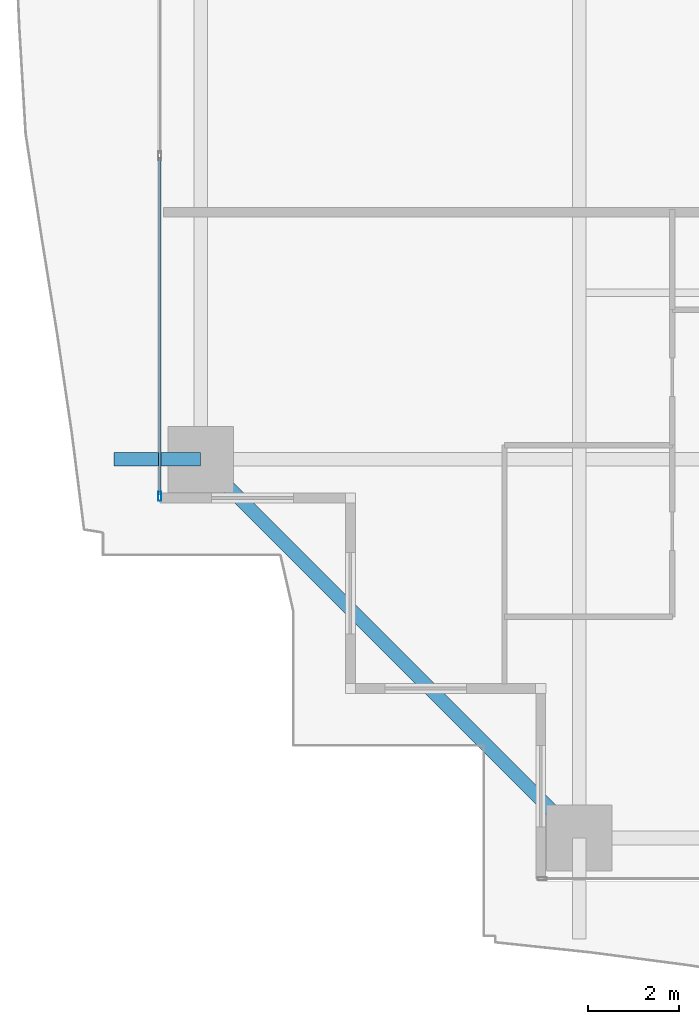
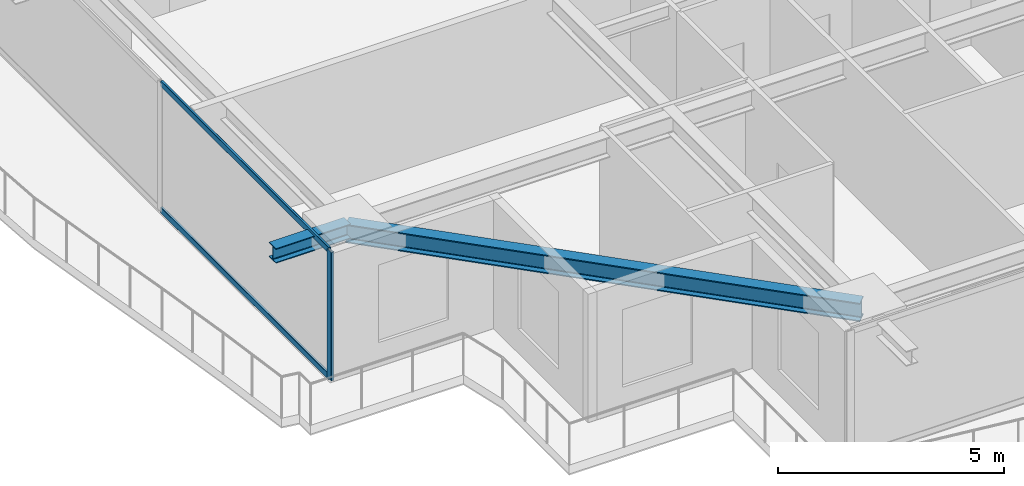
# One storey, part 3 of 41: 3 members, 2 beams, 1 element without a shape of its own.
"""IFC4 building model written with IfcOpenShell, lengths in metres."""

from ifc_helpers import new_model, si_unit, direction, frame, origin, origin_2d, place, context, subcontext, project, spatial, hollow_rectangle, i_section, extrude, source, transform, mapped, material, layer, layer_set, material_profile, profile_set, type_object, element, aggregate, save


model = new_model("IFC4")

# Units and contexts
model_context = context("Model", 3, precision=1e-05, world=origin(), true_north=direction((0.0, 1.0)))
body_context = subcontext(model_context, "Body", "Model", "MODEL_VIEW")
ifc_project = project(units=[si_unit("LENGTHUNIT", "METRE"), si_unit("AREAUNIT", "SQUARE_METRE"), si_unit("VOLUMEUNIT", "CUBIC_METRE"), si_unit("PLANEANGLEUNIT", "RADIAN"), si_unit("MASSUNIT", "GRAM", prefix="KILO")], contexts=[model_context])

# Site, building, storey
site_placement = place(None, origin())
site = spatial("IfcSite", under=ifc_project, at=site_placement, CompositionType="ELEMENT")
building_placement = place(site_placement, origin())
building = spatial("IfcBuilding", under=site, at=building_placement, Name="Serunith Strait Residences", CompositionType="ELEMENT")
storey_placement = place(building_placement, frame((0.0, 0.0, 75.449951171875)))
storey = spatial("IfcBuildingStorey", under=building, at=storey_placement, Name="L18", CompositionType="ELEMENT", Elevation=75.449951171875)

# Beams
ifc_material_1 = material(Name="Steel S355J2", Category="steel")
ifc_material_profile_1 = material_profile(ifc_material_1, i_section(OverallWidth=0.300048828125, OverallDepth=0.5, WebThickness=0.014404296875, FlangeThickness=0.028076171875, FilletRadius=0.027099609375, at=origin_2d()), Name="HEB 500")
ifc_profile_set_1 = profile_set([ifc_material_profile_1], Name="Steel S355J2")
beam_type_1 = type_object("IfcBeamType", Name="BM-HEB500", PredefinedType="BEAM", material=ifc_profile_set_1)
shared_shape_1 = source(origin(), body_context, "Body", "SweptSolid", [
    extrude(i_section(OverallWidth=0.300048828125, OverallDepth=0.5, WebThickness=0.014404296875, FlangeThickness=0.028076171875, FilletRadius=0.027099609375, at=origin_2d()), origin(), (0.0, 0.0, 1.0), 11.80859375),
])
beam_1_placement = place(storey_placement, frame((6.89990234375, 9.449951171875, 3.20703125), z_axis=(0.707117118476, -0.707096443746, 0.0), x_axis=(0.707096443746, 0.707117118476, 0.0)))
element("IfcBeam", 1, at=beam_1_placement, inside=storey, type_object=beam_type_1, Name="L18 Perimeter Ring Beam 16", PredefinedType="BEAM", context=body_context, shape_type="MappedRepresentation", body=[
    mapped(shared_shape_1, transform((0.0, 0.0, 0.0), scale=1.0)),
])
ifc_material_profile_2 = material_profile(ifc_material_1, i_section(OverallWidth=0.300048828125, OverallDepth=0.39990234375, WebThickness=0.013427734375, FlangeThickness=0.02392578125, FilletRadius=0.027099609375, at=origin_2d()), Name="HEB 400")
ifc_profile_set_2 = profile_set([ifc_material_profile_2], Name="Steel S355J2")
beam_type_2 = type_object("IfcBeamType", Name="BM-HEB400", PredefinedType="BEAM", material=ifc_profile_set_2)
shared_shape_2 = source(origin(), body_context, "Body", "SweptSolid", [
    extrude(i_section(OverallWidth=0.300048828125, OverallDepth=0.39990234375, WebThickness=0.013427734375, FlangeThickness=0.02392578125, FilletRadius=0.027099609375, at=origin_2d()), origin(), (0.0, 0.0, 1.0), 1.909912109375),
])
beam_2_placement = place(storey_placement, frame((6.89990234375, 9.449951171875, 3.257080078125), z_axis=(-1.0, 0.0, 0.0), x_axis=(0.0, -1.0, 0.0)))
element("IfcBeam", 2, at=beam_2_placement, inside=storey, type_object=beam_type_2, Name="L19 Cantilevered Balcony Rib TC-W1", PredefinedType="BEAM", context=body_context, shape_type="MappedRepresentation", body=[
    mapped(shared_shape_2, transform((0.0, 0.0, 0.0), scale=1.0)),
])

# Curtain wall, members
ifc_material_2 = material(Name="Pale-Champagne Anodised Aluminium", Category="aluminium")
ifc_layer = layer(ifc_material_2, 0.199951171875, Name="Pale-Champagne Anodised Aluminium")
ifc_layer_set = layer_set([ifc_layer], Name="Pale-Champagne Anodised Aluminium")
curtain_wall_type = type_object("IfcCurtainWallType", Name="CW-SYS1", PredefinedType="NOTDEFINED", material=ifc_layer_set)
curtain_wall_placement = place(storey_placement, origin())
curtain_wall = element("IfcCurtainWall", 3, at=curtain_wall_placement, inside=storey, type_object=curtain_wall_type, Name="L18 W Unitised Fritted Curtain Wall", PredefinedType="NOTDEFINED")
ifc_material_profile_3 = material_profile(ifc_material_2, hollow_rectangle(XDim=0.070068359375, YDim=0.199951171875, WallThickness=0.00390625, InnerFilletRadius=0.006103515625, OuterFilletRadius=0.010009765625, at=origin_2d()), Name="ALU 200x70x4")
ifc_profile_set_3 = profile_set([ifc_material_profile_3], Name="Pale-Champagne Anodised Aluminium")
member_type_1 = type_object("IfcMemberType", Name="CW-SYS1-MULL", PredefinedType="MULLION", material=ifc_profile_set_3)
shared_shape_3 = source(origin(), body_context, "Body", "SweptSolid", [
    extrude(hollow_rectangle(XDim=0.070068359375, YDim=0.199951171875, WallThickness=0.00390625, InnerFilletRadius=0.006103515625, OuterFilletRadius=0.010009765625, at=origin_2d()), origin(), (0.0, 0.0, 1.0), 3.47509765625),
])
member_1_placement = place(storey_placement, frame((6.0, 8.635009765625, 0.0), z_axis=(0.0, 0.0, 1.0), x_axis=(1.0, 0.0, 0.0)))
member_1 = element("IfcMember", 4, at=member_1_placement, type_object=member_type_1, Name="CW-1 mullion 3", PredefinedType="MULLION", context=body_context, shape_type="MappedRepresentation", body=[
    mapped(shared_shape_3, transform((0.0, 0.0, 0.0), scale=1.0)),
])
ifc_material_profile_4 = material_profile(ifc_material_2, hollow_rectangle(XDim=0.06005859375, YDim=0.159912109375, WallThickness=0.00341796875, InnerFilletRadius=0.00537109375, OuterFilletRadius=0.0087890625, at=origin_2d()), Name="ALU 160x60x3.5")
ifc_profile_set_4 = profile_set([ifc_material_profile_4], Name="Pale-Champagne Anodised Aluminium")
member_type_2 = type_object("IfcMemberType", Name="CW-SYS1-TRAN", PredefinedType="USERDEFINED", material=ifc_profile_set_4)
shared_shape_4 = source(origin(), body_context, "Body", "SweptSolid", [
    extrude(hollow_rectangle(XDim=0.06005859375, YDim=0.159912109375, WallThickness=0.00341796875, InnerFilletRadius=0.00537109375, OuterFilletRadius=0.0087890625, at=origin_2d()), origin(), (0.0, 0.0, 1.0), 7.445068359375),
])
member_2_placement = place(storey_placement, frame((6.0, 16.114990234375, 0.030029296875), z_axis=(0.0, -1.0, 0.0), x_axis=(1.0, 0.0, 0.0)))
member_2 = element("IfcMember", 5, at=member_2_placement, type_object=member_type_2, Name="CW-1 transom 2.1", ObjectType="TRANSOM", PredefinedType="USERDEFINED", context=body_context, shape_type="MappedRepresentation", body=[
    mapped(shared_shape_4, transform((0.0, 0.0, 0.0), scale=1.0)),
])
member_3_placement = place(storey_placement, frame((6.0, 16.114990234375, 3.445068359375), z_axis=(0.0, -1.0, 0.0), x_axis=(1.0, 0.0, 0.0)))
member_3 = element("IfcMember", 6, at=member_3_placement, type_object=member_type_2, Name="CW-1 transom 2.2", ObjectType="TRANSOM", PredefinedType="USERDEFINED", context=body_context, shape_type="MappedRepresentation", body=[
    mapped(shared_shape_4, transform((0.0, 0.0, 0.0), scale=1.0)),
])
aggregate(curtain_wall, [member_1, member_2, member_3])

save(model, "model.ifc")
